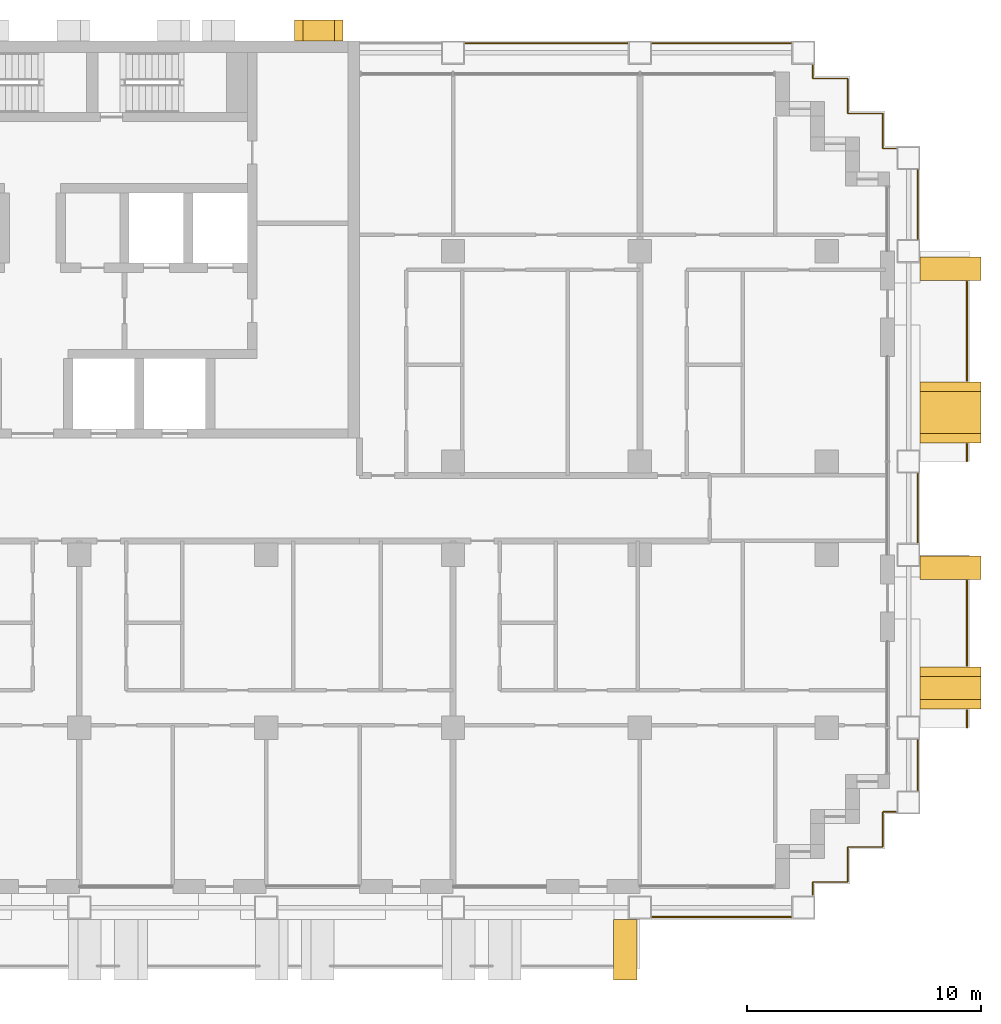
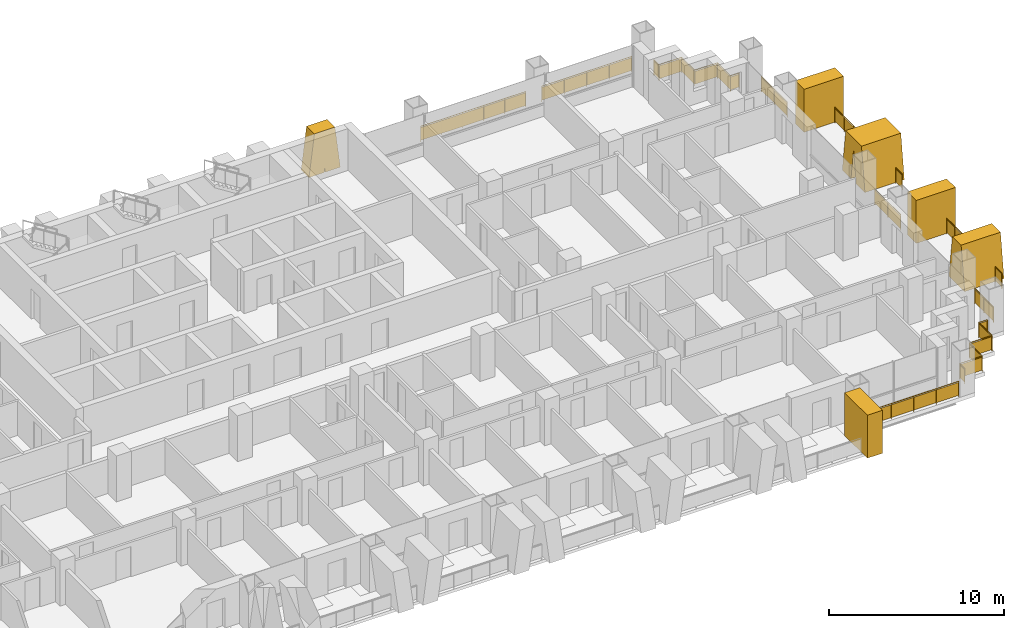
# One storey, part 18 of 18: 12 railings, 6 shading devices.
"""IFC4 building model written with IfcOpenShell, lengths in metres."""

from ifc_helpers import new_model, si_unit, direction, frame, origin, origin_2d, place, context, subcontext, project, spatial, polyline, rectangle, circle, outline, extrude, material, layer, layer_set, type_object, element, save


model = new_model("IFC4")

# Units and contexts
model_context = context("Model", 3, precision=1e-05, world=origin(), true_north=direction((0.0, 1.0)))
body_context = subcontext(model_context, "Body", "Model", "MODEL_VIEW")
ifc_project = project(units=[si_unit("LENGTHUNIT", "METRE"), si_unit("AREAUNIT", "SQUARE_METRE"), si_unit("VOLUMEUNIT", "CUBIC_METRE"), si_unit("PLANEANGLEUNIT", "RADIAN"), si_unit("MASSUNIT", "GRAM", prefix="KILO")], contexts=[model_context])

# Site, building, storey
site_placement = place(None, origin())
site = spatial("IfcSite", under=ifc_project, at=site_placement, CompositionType="ELEMENT")
building_placement = place(site_placement, origin())
building = spatial("IfcBuilding", under=site, at=building_placement, Name="Vidyagriha Tower", CompositionType="ELEMENT")
storey_placement = place(building_placement, frame((0.0, 0.0, 48.0)))
storey = spatial("IfcBuildingStorey", under=building, at=storey_placement, Name="L12", CompositionType="ELEMENT", Elevation=48.0)

# Railings
ifc_material_1 = material(Name="Steel ASTM A500 Grade C black painted", Category="steel")
railing_type_1 = type_object("IfcRailingType", Name="Balcony guard 1100", PredefinedType="BALUSTRADE", material=ifc_material_1)
railing_1_placement = place(storey_placement, frame((40.0, -9.39990234375, 0.0)))
element("IfcRailing", 1, at=railing_1_placement, inside=storey, type_object=railing_type_1, Name="Balcony guard L12 R30.1-1", PredefinedType="BALUSTRADE", context=body_context, shape_type="SweptSolid", body=[
    extrude(circle(Radius=0.02490234375, at=origin_2d()), frame((0.0, 0.0, 1.0751953125), z_axis=(0.0, 1.0, 0.0), x_axis=(-1.0, 0.0, 0.0)), (0.0, 0.0, 1.0), 0.75),
    extrude(circle(Radius=0.02001953125, at=origin_2d()), origin(), (0.0, 0.0, 1.0), 1.050048828125),
    extrude(circle(Radius=0.02001953125, at=origin_2d()), frame((0.0, 0.75, 0.0)), (0.0, 0.0, 1.0), 1.050048828125),
    extrude(rectangle(XDim=0.010009765625, YDim=0.900146484375, at=origin_2d()), frame((0.0, 0.0, 0.550048828125), z_axis=(0.0, 1.0, 0.0), x_axis=(-1.0, 0.0, 0.0)), (0.0, 0.0, 1.0), 0.75),
])
railing_2_placement = place(storey_placement, frame((40.0, -6.75, 0.0)))
element("IfcRailing", 2, at=railing_2_placement, inside=storey, type_object=railing_type_1, Name="Balcony guard L12 R30.1-2", PredefinedType="BALUSTRADE", context=body_context, shape_type="SweptSolid", body=[
    extrude(circle(Radius=0.02490234375, at=origin_2d()), frame((0.0, 0.0, 1.0751953125), z_axis=(0.0, 1.0, 0.0), x_axis=(-1.0, 0.0, 0.0)), (0.0, 0.0, 1.0), 3.64990234375),
    extrude(circle(Radius=0.02001953125, at=origin_2d()), origin(), (0.0, 0.0, 1.0), 1.050048828125),
    extrude(circle(Radius=0.02001953125, at=origin_2d()), frame((0.0, 0.91259765625, 0.0)), (0.0, 0.0, 1.0), 1.050048828125),
    extrude(circle(Radius=0.02001953125, at=origin_2d()), frame((0.0, 1.824951171875, 0.0)), (0.0, 0.0, 1.0), 1.050048828125),
    extrude(circle(Radius=0.02001953125, at=origin_2d()), frame((0.0, 2.7373046875, 0.0)), (0.0, 0.0, 1.0), 1.050048828125),
    extrude(circle(Radius=0.02001953125, at=origin_2d()), frame((0.0, 3.64990234375, 0.0)), (0.0, 0.0, 1.0), 1.050048828125),
    extrude(rectangle(XDim=0.010009765625, YDim=0.900146484375, at=origin_2d()), frame((0.0, 0.0, 0.550048828125), z_axis=(0.0, 1.0, 0.0), x_axis=(-1.0, 0.0, 0.0)), (0.0, 0.0, 1.0), 3.64990234375),
])
railing_3_placement = place(storey_placement, frame((40.0, 2.0, 0.0)))
element("IfcRailing", 3, at=railing_3_placement, inside=storey, type_object=railing_type_1, Name="Balcony guard L12 R30.2-1", PredefinedType="BALUSTRADE", context=body_context, shape_type="SweptSolid", body=[
    extrude(circle(Radius=0.02490234375, at=origin_2d()), frame((0.0, 0.0, 1.0751953125), z_axis=(0.0, 1.0, 0.0), x_axis=(-1.0, 0.0, 0.0)), (0.0, 0.0, 1.0), 0.75),
    extrude(circle(Radius=0.02001953125, at=origin_2d()), origin(), (0.0, 0.0, 1.0), 1.050048828125),
    extrude(circle(Radius=0.02001953125, at=origin_2d()), frame((0.0, 0.75, 0.0)), (0.0, 0.0, 1.0), 1.050048828125),
    extrude(rectangle(XDim=0.010009765625, YDim=0.900146484375, at=origin_2d()), frame((0.0, 0.0, 0.550048828125), z_axis=(0.0, 1.0, 0.0), x_axis=(-1.0, 0.0, 0.0)), (0.0, 0.0, 1.0), 0.75),
])
railing_4_placement = place(storey_placement, frame((40.0, 5.449951171875, 0.0)))
element("IfcRailing", 4, at=railing_4_placement, inside=storey, type_object=railing_type_1, Name="Balcony guard L12 R30.2-2", PredefinedType="BALUSTRADE", context=body_context, shape_type="SweptSolid", body=[
    extrude(circle(Radius=0.02490234375, at=origin_2d()), frame((0.0, 0.0, 1.0751953125), z_axis=(0.0, 1.0, 0.0), x_axis=(-1.0, 0.0, 0.0)), (0.0, 0.0, 1.0), 4.25),
    extrude(circle(Radius=0.02001953125, at=origin_2d()), origin(), (0.0, 0.0, 1.0), 1.050048828125),
    extrude(circle(Radius=0.02001953125, at=origin_2d()), frame((0.0, 1.0625, 0.0)), (0.0, 0.0, 1.0), 1.050048828125),
    extrude(circle(Radius=0.02001953125, at=origin_2d()), frame((0.0, 2.125, 0.0)), (0.0, 0.0, 1.0), 1.050048828125),
    extrude(circle(Radius=0.02001953125, at=origin_2d()), frame((0.0, 3.1875, 0.0)), (0.0, 0.0, 1.0), 1.050048828125),
    extrude(circle(Radius=0.02001953125, at=origin_2d()), frame((0.0, 4.25, 0.0)), (0.0, 0.0, 1.0), 1.050048828125),
    extrude(rectangle(XDim=0.010009765625, YDim=0.900146484375, at=origin_2d()), frame((0.0, 0.0, 0.550048828125), z_axis=(0.0, 1.0, 0.0), x_axis=(-1.0, 0.0, 0.0)), (0.0, 0.0, 1.0), 4.25),
])

# Shading devices
ifc_material_2 = material(Name="Precast concrete C40/50 with buff brick facing", Category="concrete")
ifc_layer_1 = layer(ifc_material_2, 1.0)
ifc_layer_set_1 = layer_set([ifc_layer_1], Name="Precast concrete C40/50 with buff brick facing")
shading_device_type_1 = type_object("IfcShadingDeviceType", Name="Brick-faced blade fin forking 8 degrees", PredefinedType="USERDEFINED", material=ifc_layer_set_1)
shading_device_1_placement = place(storey_placement, frame((39.300048828125, -8.60009765625, 0.0), z_axis=(0.0, 0.0, 1.0), x_axis=(0.0, 1.0, 0.0)))
element("IfcShadingDevice", 5, at=shading_device_1_placement, inside=storey, type_object=shading_device_type_1, Name="Forked blade fin L12 R30.200a", ObjectType="BLADE FIN", PredefinedType="USERDEFINED", context=body_context, shape_type="SweptSolid", body=[
    extrude(outline(polyline([(0.0, 0.0), (1.800048828125, 0.0), (1.39990234375, 3.0), (0.39990234375, 3.0), (0.0, 0.0)])), frame((0.0, 1.300048828125, 0.0), z_axis=(0.0, -1.0, 0.0), x_axis=(1.0, 0.0, 0.0)), (0.0, 0.0, 1.0), 2.60009765625),
])
shading_device_2_placement = place(storey_placement, frame((39.300048828125, 2.800048828125, 0.0), z_axis=(0.0, 0.0, 1.0), x_axis=(0.0, 1.0, 0.0)))
element("IfcShadingDevice", 6, at=shading_device_2_placement, inside=storey, type_object=shading_device_type_1, Name="Forked blade fin L12 R30.1340a", ObjectType="BLADE FIN", PredefinedType="USERDEFINED", context=body_context, shape_type="SweptSolid", body=[
    extrude(outline(polyline([(1.0, 0.0), (1.300048828125, 2.25), (1.60009765625, 0.0), (2.60009765625, 0.0), (2.199951171875, 3.0), (0.39990234375, 3.0), (0.0, 0.0), (1.0, 0.0)])), frame((0.0, 1.300048828125, 0.0), z_axis=(0.0, -1.0, 0.0), x_axis=(1.0, 0.0, 0.0)), (0.0, 0.0, 1.0), 2.60009765625),
])
ifc_material_3 = material(Name="Precast concrete C40/50 with buff brick facing", Category="concrete")
ifc_layer_2 = layer(ifc_material_3, 1.0)
ifc_layer_set_2 = layer_set([ifc_layer_2], Name="Precast concrete C40/50 with buff brick facing")
shading_device_type_2 = type_object("IfcShadingDeviceType", Name="Brick-faced blade fin stem 1000", PredefinedType="USERDEFINED", material=ifc_layer_set_2)
shading_device_3_placement = place(storey_placement, frame((24.875, -18.89990234375, 0.0)))
element("IfcShadingDevice", 7, at=shading_device_3_placement, inside=storey, type_object=shading_device_type_2, Name="Stem blade fin L12 R23.5780a", ObjectType="BLADE FIN", PredefinedType="USERDEFINED", context=body_context, shape_type="SweptSolid", body=[
    extrude(outline(polyline([(0.0, 0.0), (1.0, 0.0), (1.0, 3.0), (0.0, 3.0), (0.0, 0.0)])), frame((0.0, 1.300048828125, 0.0), z_axis=(0.0, -1.0, 0.0), x_axis=(1.0, 0.0, 0.0)), (0.0, 0.0, 1.0), 2.60009765625),
])
for number, where, z_axis, x_axis, name in (
    (8, (39.300048828125, -3.050048828125, 0.0), (0.0, 0.0, 1.0), (0.0, 1.0, 0.0), "Stem blade fin L12 R30.940a"),
    (9, (39.300048828125, 9.75, 0.0), (0.0, 0.0, 1.0), (0.0, 1.0, 0.0), "Stem blade fin L12 R30.2240a"),
):
    element("IfcShadingDevice", number, at=place(storey_placement, frame(where, z_axis=z_axis, x_axis=x_axis)), inside=storey, type_object=shading_device_type_2, Name=name, ObjectType="BLADE FIN", PredefinedType="USERDEFINED", context=body_context, shape_type="SweptSolid", body=[
        extrude(outline(polyline([(0.0, 0.0), (1.0, 0.0), (1.0, 3.0), (0.0, 3.0), (0.0, 0.0)])), frame((0.0, 1.300048828125, 0.0), z_axis=(0.0, -1.0, 0.0), x_axis=(1.0, 0.0, 0.0)), (0.0, 0.0, 1.0), 2.60009765625),
    ])
ifc_material_4 = material(Name="Precast concrete C40/50 with brick facing", Category="concrete")
ifc_layer_3 = layer(ifc_material_4, 1.0)
ifc_layer_set_3 = layer_set([ifc_layer_3], Name="Precast concrete C40/50 with brick facing")
shading_device_type_3 = type_object("IfcShadingDeviceType", Name="Brick-faced rear rib forking 8 degrees", PredefinedType="USERDEFINED", material=ifc_layer_set_3)
shading_device_4_placement = place(storey_placement, frame((13.28564453125, 20.449951171875, 0.0), z_axis=(0.0, 0.0, 1.0), x_axis=(-1.0, 0.0, 0.0)))
element("IfcShadingDevice", 10, at=shading_device_4_placement, inside=storey, type_object=shading_device_type_3, Name="Rear rib fork L12 R08.1a", ObjectType="BLADE FIN", PredefinedType="USERDEFINED", context=body_context, shape_type="SweptSolid", body=[
    extrude(outline(polyline([(1.0, 0.0), (1.03564453125, 0.2919921875), (1.0712890625, 0.0), (2.0712890625, 0.0), (1.71435546875, 2.919921875), (0.357177734375, 2.919921875), (0.0, 0.0), (1.0, 0.0)])), frame((0.0, 0.449951171875, 0.0), z_axis=(0.0, -1.0, 0.0), x_axis=(1.0, 0.0, 0.0)), (0.0, 0.0, 1.0), 0.89990234375),
])

# Railings
ifc_material_5 = material(Name="Steel ASTM A500 Grade C black painted", Category="steel")
railing_type_2 = type_object("IfcRailingType", Name="Gallery guard 1100", PredefinedType="GUARDRAIL", material=ifc_material_5)
railing_5_placement = place(storey_placement, frame((18.530029296875, 19.89990234375, 0.0)))
element("IfcRailing", 11, at=railing_5_placement, inside=storey, type_object=railing_type_2, Name="Gallery guard L12 11", PredefinedType="GUARDRAIL", context=body_context, shape_type="SweptSolid", body=[
    extrude(circle(Radius=0.02490234375, at=origin_2d()), frame((0.0, 0.0, 1.0751953125), z_axis=(1.0, 0.0, 0.0), x_axis=(0.0, 1.0, 0.0)), (0.0, 0.0, 1.0), 6.93994140625),
    extrude(circle(Radius=0.02001953125, at=origin_2d()), origin(), (0.0, 0.0, 1.0), 1.050048828125),
    extrude(circle(Radius=0.02001953125, at=origin_2d()), frame((1.387939453125, 0.0, 0.0)), (0.0, 0.0, 1.0), 1.050048828125),
    extrude(circle(Radius=0.02001953125, at=origin_2d()), frame((2.77587890625, 0.0, 0.0)), (0.0, 0.0, 1.0), 1.050048828125),
    extrude(circle(Radius=0.02001953125, at=origin_2d()), frame((4.1640625, 0.0, 0.0)), (0.0, 0.0, 1.0), 1.050048828125),
    extrude(circle(Radius=0.02001953125, at=origin_2d()), frame((5.552001953125, 0.0, 0.0)), (0.0, 0.0, 1.0), 1.050048828125),
    extrude(circle(Radius=0.02001953125, at=origin_2d()), frame((6.93994140625, 0.0, 0.0)), (0.0, 0.0, 1.0), 1.050048828125),
    extrude(rectangle(XDim=0.010009765625, YDim=0.900146484375, at=origin_2d()), frame((0.0, 0.0, 0.550048828125), z_axis=(1.0, 0.0, 0.0), x_axis=(0.0, 1.0, 0.0)), (0.0, 0.0, 1.0), 6.93994140625),
])
railing_6_placement = place(storey_placement, frame((32.469970703125, -17.5, 0.0)))
element("IfcRailing", 12, at=railing_6_placement, inside=storey, type_object=railing_type_2, Name="Gallery guard L12 12", PredefinedType="GUARDRAIL", context=body_context, shape_type="SweptSolid", body=[
    extrude(circle(Radius=0.02490234375, at=origin_2d()), frame((0.0, 0.0, 1.0751953125), z_axis=(-1.0, 0.0, 0.0), x_axis=(0.0, -1.0, 0.0)), (0.0, 0.0, 1.0), 5.93994140625),
    extrude(circle(Radius=0.02001953125, at=origin_2d()), origin(), (0.0, 0.0, 1.0), 1.050048828125),
    extrude(circle(Radius=0.02001953125, at=origin_2d()), frame((-1.48486328125, 0.0, 0.0)), (0.0, 0.0, 1.0), 1.050048828125),
    extrude(circle(Radius=0.02001953125, at=origin_2d()), frame((-2.969970703125, 0.0, 0.0)), (0.0, 0.0, 1.0), 1.050048828125),
    extrude(circle(Radius=0.02001953125, at=origin_2d()), frame((-4.455078125, 0.0, 0.0)), (0.0, 0.0, 1.0), 1.050048828125),
    extrude(circle(Radius=0.02001953125, at=origin_2d()), frame((-5.93994140625, 0.0, 0.0)), (0.0, 0.0, 1.0), 1.050048828125),
    extrude(rectangle(XDim=0.010009765625, YDim=0.900146484375, at=origin_2d()), frame((0.0, 0.0, 0.550048828125), z_axis=(-1.0, 0.0, 0.0), x_axis=(0.0, -1.0, 0.0)), (0.0, 0.0, 1.0), 5.93994140625),
])
railing_7_placement = place(storey_placement, frame((26.530029296875, 19.89990234375, 0.0)))
element("IfcRailing", 13, at=railing_7_placement, inside=storey, type_object=railing_type_2, Name="Gallery guard L12 13", PredefinedType="GUARDRAIL", context=body_context, shape_type="SweptSolid", body=[
    extrude(circle(Radius=0.02490234375, at=origin_2d()), frame((0.0, 0.0, 1.0751953125), z_axis=(1.0, 0.0, 0.0), x_axis=(0.0, 1.0, 0.0)), (0.0, 0.0, 1.0), 5.93994140625),
    extrude(circle(Radius=0.02001953125, at=origin_2d()), origin(), (0.0, 0.0, 1.0), 1.050048828125),
    extrude(circle(Radius=0.02001953125, at=origin_2d()), frame((1.48486328125, 0.0, 0.0)), (0.0, 0.0, 1.0), 1.050048828125),
    extrude(circle(Radius=0.02001953125, at=origin_2d()), frame((2.969970703125, 0.0, 0.0)), (0.0, 0.0, 1.0), 1.050048828125),
    extrude(circle(Radius=0.02001953125, at=origin_2d()), frame((4.455078125, 0.0, 0.0)), (0.0, 0.0, 1.0), 1.050048828125),
    extrude(circle(Radius=0.02001953125, at=origin_2d()), frame((5.93994140625, 0.0, 0.0)), (0.0, 0.0, 1.0), 1.050048828125),
    extrude(rectangle(XDim=0.010009765625, YDim=0.900146484375, at=origin_2d()), frame((0.0, 0.0, 0.550048828125), z_axis=(1.0, 0.0, 0.0), x_axis=(0.0, 1.0, 0.0)), (0.0, 0.0, 1.0), 5.93994140625),
])
railing_8_placement = place(storey_placement, frame((36.969970703125, -13.0, 0.0)))
element("IfcRailing", 14, at=railing_8_placement, inside=storey, type_object=railing_type_2, Name="Gallery guard L12 14", PredefinedType="GUARDRAIL", context=body_context, shape_type="SweptSolid", body=[
    extrude(circle(Radius=0.02490234375, at=origin_2d()), frame((0.0, 0.0, 1.0751953125), z_axis=(-1.0, 0.0, 0.0), x_axis=(0.0, -1.0, 0.0)), (0.0, 0.0, 1.0), 0.570068359375),
    extrude(circle(Radius=0.02490234375, at=origin_2d()), frame((-0.570068359375, 0.0, 1.0751953125), z_axis=(0.0, -1.0, 0.0), x_axis=(1.0, 0.0, 0.0)), (0.0, 0.0, 1.0), 1.5),
    extrude(circle(Radius=0.02490234375, at=origin_2d()), frame((-0.570068359375, -1.5, 1.0751953125), z_axis=(-1.0, 0.0, 0.0), x_axis=(0.0, -1.0, 0.0)), (0.0, 0.0, 1.0), 1.5),
    extrude(circle(Radius=0.02490234375, at=origin_2d()), frame((-2.070068359375, -1.5, 1.0751953125), z_axis=(0.0, -1.0, 0.0), x_axis=(1.0, 0.0, 0.0)), (0.0, 0.0, 1.0), 1.5),
    extrude(circle(Radius=0.02490234375, at=origin_2d()), frame((-2.070068359375, -3.0, 1.0751953125), z_axis=(-1.0, 0.0, 0.0), x_axis=(0.0, -1.0, 0.0)), (0.0, 0.0, 1.0), 1.5),
    extrude(circle(Radius=0.02490234375, at=origin_2d()), frame((-3.570068359375, -3.0, 1.0751953125), z_axis=(0.0, -1.0, 0.0), x_axis=(1.0, 0.0, 0.0)), (0.0, 0.0, 1.0), 0.570068359375),
    extrude(circle(Radius=0.02001953125, at=origin_2d()), origin(), (0.0, 0.0, 1.0), 1.050048828125),
    extrude(circle(Radius=0.02001953125, at=origin_2d()), frame((-0.570068359375, 0.0, 0.0)), (0.0, 0.0, 1.0), 1.050048828125),
    extrude(circle(Radius=0.02001953125, at=origin_2d()), frame((-0.570068359375, -1.5, 0.0)), (0.0, 0.0, 1.0), 1.050048828125),
    extrude(circle(Radius=0.02001953125, at=origin_2d()), frame((-2.070068359375, -1.5, 0.0)), (0.0, 0.0, 1.0), 1.050048828125),
    extrude(circle(Radius=0.02001953125, at=origin_2d()), frame((-2.070068359375, -3.0, 0.0)), (0.0, 0.0, 1.0), 1.050048828125),
    extrude(circle(Radius=0.02001953125, at=origin_2d()), frame((-3.570068359375, -3.0, 0.0)), (0.0, 0.0, 1.0), 1.050048828125),
    extrude(circle(Radius=0.02001953125, at=origin_2d()), frame((-3.570068359375, -3.570068359375, 0.0)), (0.0, 0.0, 1.0), 1.050048828125),
    extrude(rectangle(XDim=0.010009765625, YDim=0.900146484375, at=origin_2d()), frame((0.0, 0.0, 0.550048828125), z_axis=(-1.0, 0.0, 0.0), x_axis=(0.0, -1.0, 0.0)), (0.0, 0.0, 1.0), 0.570068359375),
    extrude(rectangle(XDim=0.010009765625, YDim=0.900146484375, at=origin_2d()), frame((-0.570068359375, 0.0, 0.550048828125), z_axis=(0.0, -1.0, 0.0), x_axis=(1.0, 0.0, 0.0)), (0.0, 0.0, 1.0), 1.5),
    extrude(rectangle(XDim=0.010009765625, YDim=0.900146484375, at=origin_2d()), frame((-0.570068359375, -1.5, 0.550048828125), z_axis=(-1.0, 0.0, 0.0), x_axis=(0.0, -1.0, 0.0)), (0.0, 0.0, 1.0), 1.5),
    extrude(rectangle(XDim=0.010009765625, YDim=0.900146484375, at=origin_2d()), frame((-2.070068359375, -1.5, 0.550048828125), z_axis=(0.0, -1.0, 0.0), x_axis=(1.0, 0.0, 0.0)), (0.0, 0.0, 1.0), 1.5),
    extrude(rectangle(XDim=0.010009765625, YDim=0.900146484375, at=origin_2d()), frame((-2.070068359375, -3.0, 0.550048828125), z_axis=(-1.0, 0.0, 0.0), x_axis=(0.0, -1.0, 0.0)), (0.0, 0.0, 1.0), 1.5),
    extrude(rectangle(XDim=0.010009765625, YDim=0.900146484375, at=origin_2d()), frame((-3.570068359375, -3.0, 0.550048828125), z_axis=(0.0, -1.0, 0.0), x_axis=(1.0, 0.0, 0.0)), (0.0, 0.0, 1.0), 0.570068359375),
])
railing_9_placement = place(storey_placement, frame((33.39990234375, 18.969970703125, 0.0)))
element("IfcRailing", 15, at=railing_9_placement, inside=storey, type_object=railing_type_2, Name="Gallery guard L12 15", PredefinedType="GUARDRAIL", context=body_context, shape_type="SweptSolid", body=[
    extrude(circle(Radius=0.02490234375, at=origin_2d()), frame((0.0, 0.0, 1.0751953125), z_axis=(0.0, -1.0, 0.0), x_axis=(1.0, 0.0, 0.0)), (0.0, 0.0, 1.0), 0.570068359375),
    extrude(circle(Radius=0.02490234375, at=origin_2d()), frame((0.0, -0.570068359375, 1.0751953125), z_axis=(1.0, 0.0, 0.0), x_axis=(0.0, 1.0, 0.0)), (0.0, 0.0, 1.0), 1.5),
    extrude(circle(Radius=0.02490234375, at=origin_2d()), frame((1.5, -0.570068359375, 1.0751953125), z_axis=(0.0, -1.0, 0.0), x_axis=(1.0, 0.0, 0.0)), (0.0, 0.0, 1.0), 1.5),
    extrude(circle(Radius=0.02490234375, at=origin_2d()), frame((1.5, -2.070068359375, 1.0751953125), z_axis=(1.0, 0.0, 0.0), x_axis=(0.0, 1.0, 0.0)), (0.0, 0.0, 1.0), 1.5),
    extrude(circle(Radius=0.02490234375, at=origin_2d()), frame((3.0, -2.070068359375, 1.0751953125), z_axis=(0.0, -1.0, 0.0), x_axis=(1.0, 0.0, 0.0)), (0.0, 0.0, 1.0), 1.5),
    extrude(circle(Radius=0.02490234375, at=origin_2d()), frame((3.0, -3.570068359375, 1.0751953125), z_axis=(1.0, 0.0, 0.0), x_axis=(0.0, 1.0, 0.0)), (0.0, 0.0, 1.0), 0.570068359375),
    extrude(circle(Radius=0.02001953125, at=origin_2d()), origin(), (0.0, 0.0, 1.0), 1.050048828125),
    extrude(circle(Radius=0.02001953125, at=origin_2d()), frame((0.0, -0.570068359375, 0.0)), (0.0, 0.0, 1.0), 1.050048828125),
    extrude(circle(Radius=0.02001953125, at=origin_2d()), frame((1.5, -0.570068359375, 0.0)), (0.0, 0.0, 1.0), 1.050048828125),
    extrude(circle(Radius=0.02001953125, at=origin_2d()), frame((1.5, -2.070068359375, 0.0)), (0.0, 0.0, 1.0), 1.050048828125),
    extrude(circle(Radius=0.02001953125, at=origin_2d()), frame((3.0, -2.070068359375, 0.0)), (0.0, 0.0, 1.0), 1.050048828125),
    extrude(circle(Radius=0.02001953125, at=origin_2d()), frame((3.0, -3.570068359375, 0.0)), (0.0, 0.0, 1.0), 1.050048828125),
    extrude(circle(Radius=0.02001953125, at=origin_2d()), frame((3.570068359375, -3.570068359375, 0.0)), (0.0, 0.0, 1.0), 1.050048828125),
    extrude(rectangle(XDim=0.010009765625, YDim=0.900146484375, at=origin_2d()), frame((0.0, 0.0, 0.550048828125), z_axis=(0.0, -1.0, 0.0), x_axis=(1.0, 0.0, 0.0)), (0.0, 0.0, 1.0), 0.570068359375),
    extrude(rectangle(XDim=0.010009765625, YDim=0.900146484375, at=origin_2d()), frame((0.0, -0.570068359375, 0.550048828125), z_axis=(1.0, 0.0, 0.0), x_axis=(0.0, 1.0, 0.0)), (0.0, 0.0, 1.0), 1.5),
    extrude(rectangle(XDim=0.010009765625, YDim=0.900146484375, at=origin_2d()), frame((1.5, -0.570068359375, 0.550048828125), z_axis=(0.0, -1.0, 0.0), x_axis=(1.0, 0.0, 0.0)), (0.0, 0.0, 1.0), 1.5),
    extrude(rectangle(XDim=0.010009765625, YDim=0.900146484375, at=origin_2d()), frame((1.5, -2.070068359375, 0.550048828125), z_axis=(1.0, 0.0, 0.0), x_axis=(0.0, 1.0, 0.0)), (0.0, 0.0, 1.0), 1.5),
    extrude(rectangle(XDim=0.010009765625, YDim=0.900146484375, at=origin_2d()), frame((3.0, -2.070068359375, 0.550048828125), z_axis=(0.0, -1.0, 0.0), x_axis=(1.0, 0.0, 0.0)), (0.0, 0.0, 1.0), 1.5),
    extrude(rectangle(XDim=0.010009765625, YDim=0.900146484375, at=origin_2d()), frame((3.0, -3.570068359375, 0.550048828125), z_axis=(1.0, 0.0, 0.0), x_axis=(0.0, 1.0, 0.0)), (0.0, 0.0, 1.0), 0.570068359375),
])
railing_10_placement = place(storey_placement, frame((37.89990234375, -9.929931640625, 0.0)))
element("IfcRailing", 16, at=railing_10_placement, inside=storey, type_object=railing_type_2, Name="Gallery guard L12 16", PredefinedType="GUARDRAIL", context=body_context, shape_type="SweptSolid", body=[
    extrude(circle(Radius=0.02490234375, at=origin_2d()), frame((0.0, 0.0, 1.0751953125), z_axis=(0.0, -1.0, 0.0), x_axis=(1.0, 0.0, 0.0)), (0.0, 0.0, 1.0), 2.14013671875),
    extrude(circle(Radius=0.02001953125, at=origin_2d()), origin(), (0.0, 0.0, 1.0), 1.050048828125),
    extrude(circle(Radius=0.02001953125, at=origin_2d()), frame((0.0, -1.070068359375, 0.0)), (0.0, 0.0, 1.0), 1.050048828125),
    extrude(circle(Radius=0.02001953125, at=origin_2d()), frame((0.0, -2.14013671875, 0.0)), (0.0, 0.0, 1.0), 1.050048828125),
    extrude(rectangle(XDim=0.010009765625, YDim=0.900146484375, at=origin_2d()), frame((0.0, 0.0, 0.550048828125), z_axis=(0.0, -1.0, 0.0), x_axis=(1.0, 0.0, 0.0)), (0.0, 0.0, 1.0), 2.14013671875),
])
for number, where, name in (
    (17, (37.89990234375, 1.469970703125, 0.0), "Gallery guard L12 17"),
    (18, (37.89990234375, 14.469970703125, 0.0), "Gallery guard L12 18"),
):
    element("IfcRailing", number, at=place(storey_placement, frame(where)), inside=storey, type_object=railing_type_2, Name=name, PredefinedType="GUARDRAIL", context=body_context, shape_type="SweptSolid", body=[
        extrude(circle(Radius=0.02490234375, at=origin_2d()), frame((0.0, 0.0, 1.0751953125), z_axis=(0.0, -1.0, 0.0), x_axis=(1.0, 0.0, 0.0)), (0.0, 0.0, 1.0), 2.93994140625),
        extrude(circle(Radius=0.02001953125, at=origin_2d()), origin(), (0.0, 0.0, 1.0), 1.050048828125),
        extrude(circle(Radius=0.02001953125, at=origin_2d()), frame((0.0, -1.469970703125, 0.0)), (0.0, 0.0, 1.0), 1.050048828125),
        extrude(circle(Radius=0.02001953125, at=origin_2d()), frame((0.0, -2.93994140625, 0.0)), (0.0, 0.0, 1.0), 1.050048828125),
        extrude(rectangle(XDim=0.010009765625, YDim=0.900146484375, at=origin_2d()), frame((0.0, 0.0, 0.550048828125), z_axis=(0.0, -1.0, 0.0), x_axis=(1.0, 0.0, 0.0)), (0.0, 0.0, 1.0), 2.93994140625),
    ])

save(model, "model.ifc")
